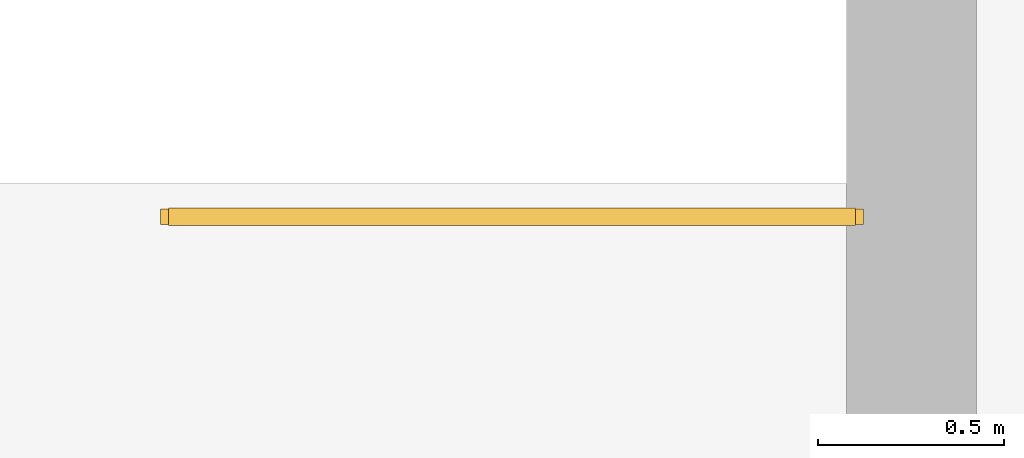
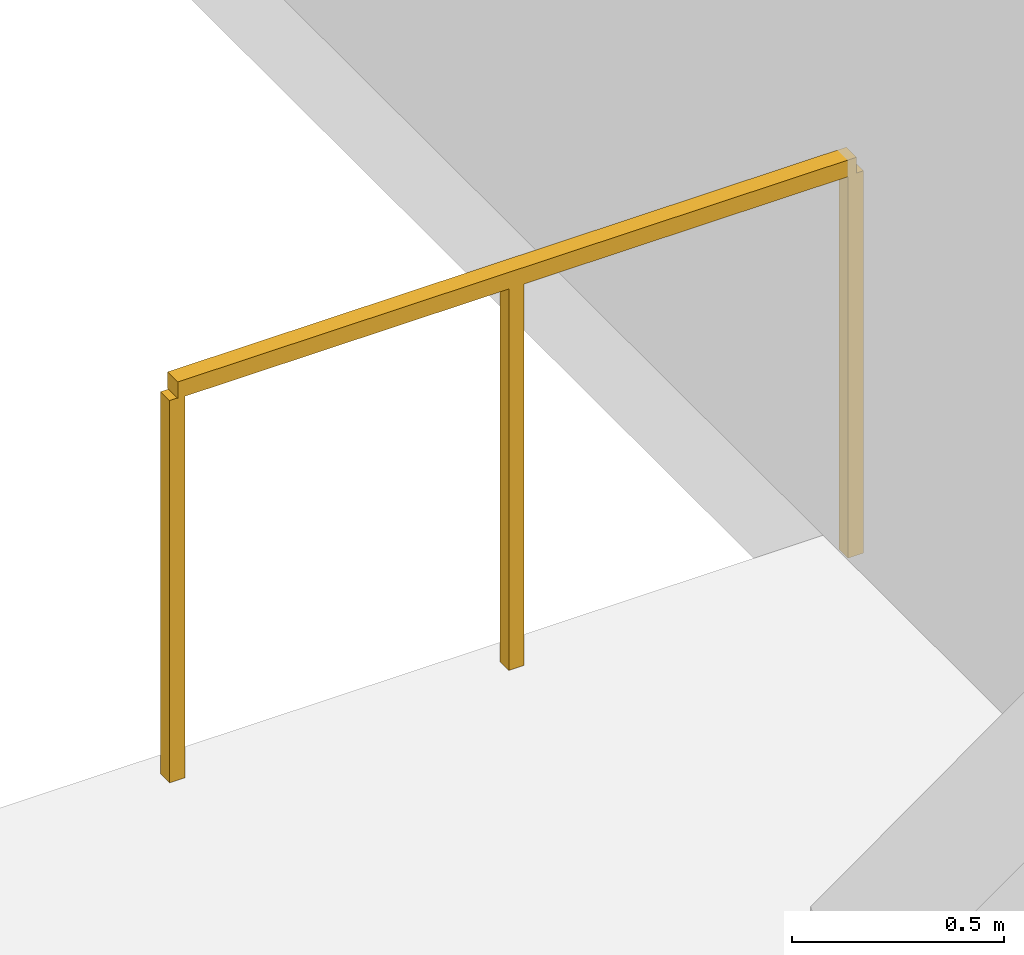
# One storey, part 12 of 12: 1 railing.
"""IFC4 building model written with IfcOpenShell, lengths in metres."""

from ifc_helpers import new_model, si_unit, direction, frame, origin, origin_2d, place, context, subcontext, project, spatial, rectangle, extrude, material, type_object, element, save


model = new_model("IFC4")

# Units and contexts
model_context = context("Model", 3, precision=1e-05, world=origin(), true_north=direction((0.0, 1.0)))
body_context = subcontext(model_context, "Body", "Model", "MODEL_VIEW")
ifc_project = project(units=[si_unit("LENGTHUNIT", "METRE"), si_unit("AREAUNIT", "SQUARE_METRE"), si_unit("VOLUMEUNIT", "CUBIC_METRE"), si_unit("PLANEANGLEUNIT", "RADIAN"), si_unit("MASSUNIT", "GRAM", prefix="KILO")], contexts=[model_context])

# Site, building, storey
site_placement = place(None, origin())
site = spatial("IfcSite", under=ifc_project, at=site_placement, CompositionType="ELEMENT")
building_placement = place(site_placement, origin())
building = spatial("IfcBuilding", under=site, at=building_placement, Name="Sarneth Arch Tower", CompositionType="ELEMENT")
storey_placement = place(building_placement, frame((0.0, 0.0, 16.800048828125)))
storey = spatial("IfcBuildingStorey", under=building, at=storey_placement, Name="L03", CompositionType="ELEMENT", Elevation=16.800048828125)

# Railing
ifc_material = material(Name="Painted Steel S275 stair well guard", Category="steel")
railing_type = type_object("IfcRailingType", Name="RAIL-STAIR-GUARD", PredefinedType="GUARDRAIL", material=ifc_material)
railing_placement = place(storey_placement, frame((84.89990234375, 65.75, 0.0)))
element("IfcRailing", 1, at=railing_placement, inside=storey, type_object=railing_type, Name="L03 ST-P2 top well guard 1", PredefinedType="GUARDRAIL", context=body_context, shape_type="SweptSolid", body=[
    extrude(rectangle(XDim=0.048095703125, YDim=0.048095703125, at=origin_2d()), frame((0.0, 0.0, 1.1259765625), z_axis=(-1.0, 0.0, 0.0), x_axis=(0.0, -1.0, 0.0)), (0.0, 0.0, 1.0), 1.849853515625),
    extrude(rectangle(XDim=0.0419921875, YDim=0.0419921875, at=origin_2d()), origin(), (0.0, 0.0, 1.0), 1.101806640625),
    extrude(rectangle(XDim=0.0419921875, YDim=0.0419921875, at=origin_2d()), frame((-0.9248046875, 0.0, 0.0)), (0.0, 0.0, 1.0), 1.101806640625),
    extrude(rectangle(XDim=0.0419921875, YDim=0.0419921875, at=origin_2d()), frame((-1.849853515625, 0.0, 0.0)), (0.0, 0.0, 1.0), 1.101806640625),
])

save(model, "model.ifc")
